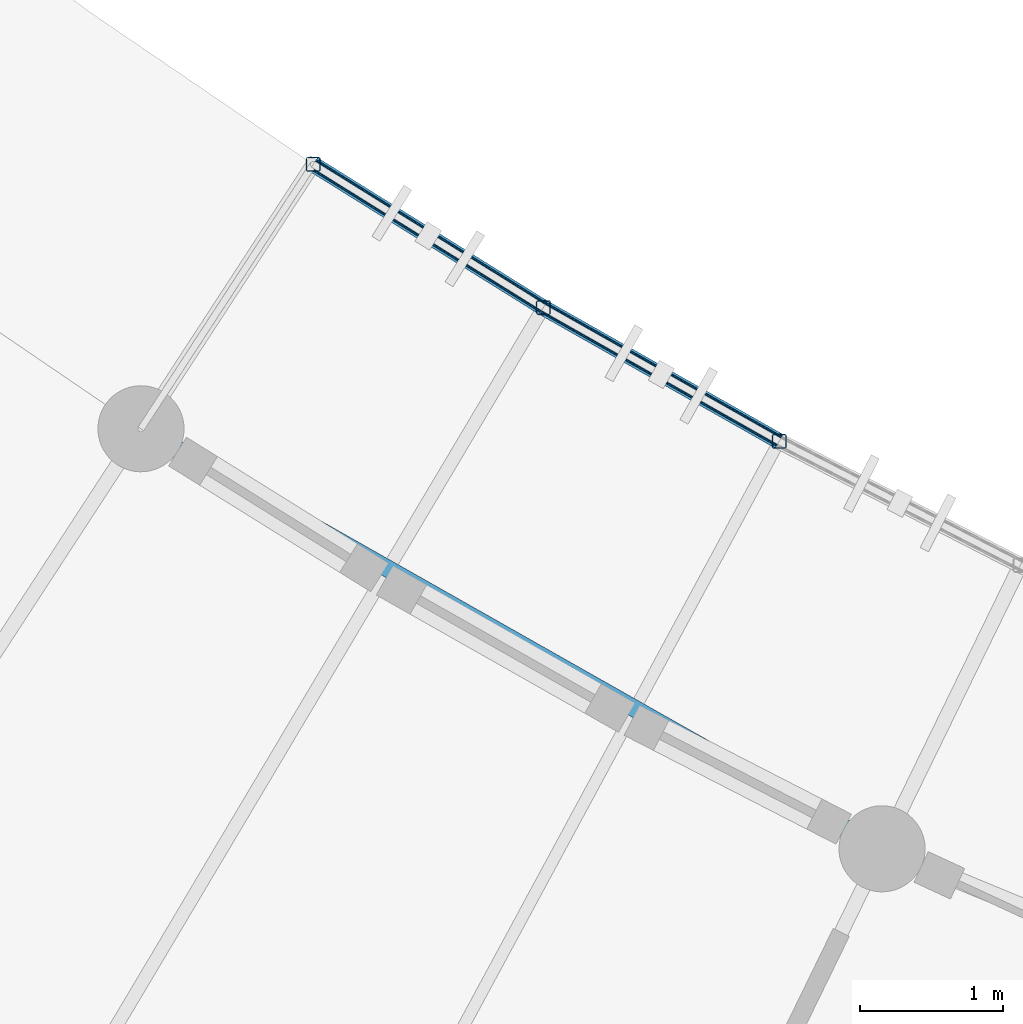
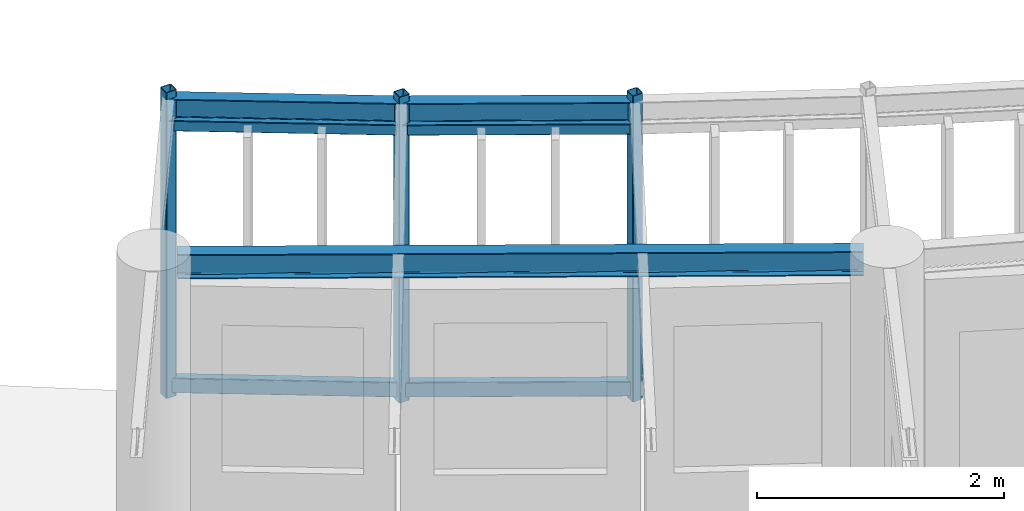
# One storey, part 7 of 100: 7 members, 3 beams.
"""IFC4 building model written with IfcOpenShell, lengths in metres."""

from ifc_helpers import new_model, si_unit, direction, frame, origin, origin_2d, place, context, subcontext, project, spatial, hollow_rectangle, i_section, extrude, material, material_profile, profile_set, type_object, element, save


model = new_model("IFC4")

# Units and contexts
model_context = context("Model", 3, precision=1e-05, world=origin(), true_north=direction((0.0, 1.0)))
body_context = subcontext(model_context, "Body", "Model", "MODEL_VIEW")
ifc_project = project(units=[si_unit("LENGTHUNIT", "METRE"), si_unit("AREAUNIT", "SQUARE_METRE"), si_unit("VOLUMEUNIT", "CUBIC_METRE"), si_unit("PLANEANGLEUNIT", "RADIAN"), si_unit("MASSUNIT", "GRAM", prefix="KILO"), si_unit("POWERUNIT", "WATT"), si_unit("THERMODYNAMICTEMPERATUREUNIT", "KELVIN")], contexts=[model_context])

# Site, building, storey
site_placement = place(None, origin())
site = spatial("IfcSite", under=ifc_project, at=site_placement, CompositionType="ELEMENT")
building_placement = place(site_placement, origin())
building = spatial("IfcBuilding", under=site, at=building_placement, Name="Ruvembo Vaulted Housing Court", CompositionType="ELEMENT")
storey_placement = place(building_placement, frame((0.0, 0.0, 14.10009765625)))
storey = spatial("IfcBuildingStorey", under=building, at=storey_placement, Name="L04", CompositionType="ELEMENT", Elevation=14.10009765625)

# Beams
ifc_material = material(Name="Steel S355J2", Category="steel")
ifc_material_profile_1 = material_profile(ifc_material, i_section(OverallWidth=0.110107421875, OverallDepth=0.219970703125, WebThickness=0.005859375, FlangeThickness=0.00927734375, FilletRadius=0.011962890625, at=origin_2d()), Name="IPE 220")
ifc_profile_set_1 = profile_set([ifc_material_profile_1], Name="Steel S355J2")
beam_type_1 = type_object("IfcBeamType", Name="BM-ST-IPE220", PredefinedType="SPANDREL", material=ifc_profile_set_1)
for number, where, z_axis, x_axis, name in (
    (1, (43.99462890625, 23.62841796875, 2.829833984375), (0.848904567119, -0.52854615307, 0.0), (0.52854615307, 0.848904567119, 0.0), "Scoop SC2 L04 Balcony Edge Spandrel 0"),
    (2, (45.598388671875, 22.6298828125, 2.829833984375), (0.869955662473, -0.493129947712, 0.0), (0.493129947712, 0.869955662473, 0.0), "Scoop SC2 L04 Balcony Edge Spandrel 1"),
):
    element("IfcBeam", number, at=place(storey_placement, frame(where, z_axis=z_axis, x_axis=x_axis)), inside=storey, type_object=beam_type_1, Name=name, PredefinedType="SPANDREL", context=body_context, shape_type="SweptSolid", body=[
        extrude(i_section(OverallWidth=0.110107421875, OverallDepth=0.219970703125, WebThickness=0.005859375, FlangeThickness=0.00927734375, FilletRadius=0.011962890625, at=origin_2d()), origin(), (0.0, 0.0, 1.0), 1.88916015625),
    ])
ifc_material_profile_2 = material_profile(ifc_material, i_section(OverallWidth=0.1201171875, OverallDepth=0.239990234375, WebThickness=0.006103515625, FlangeThickness=0.009765625, FilletRadius=0.014892578125, at=origin_2d()), Name="IPE 240")
ifc_profile_set_2 = profile_set([ifc_material_profile_2], Name="Steel S355J2")
beam_type_2 = type_object("IfcBeamType", Name="BM-ST-IPE240", PredefinedType="BEAM", material=ifc_profile_set_2)
beam_placement = place(storey_placement, frame((42.958740234375, 21.691650390625, 2.822021484375), z_axis=(0.8699763246, -0.493093494823, 0.0), x_axis=(0.493093494823, 0.8699763246, 0.0)))
element("IfcBeam", 3, at=beam_placement, inside=storey, type_object=beam_type_2, Name="Scoop SC2 L04 Chord Girder F0", PredefinedType="BEAM", context=body_context, shape_type="SweptSolid", body=[
    extrude(i_section(OverallWidth=0.1201171875, OverallDepth=0.239990234375, WebThickness=0.006103515625, FlangeThickness=0.009765625, FilletRadius=0.014892578125, at=origin_2d()), origin(), (0.0, 0.0, 1.0), 5.556640625),
])

# Members
ifc_material_profile_3 = material_profile(ifc_material, hollow_rectangle(XDim=0.06005859375, YDim=0.1201171875, WallThickness=0.0048828125, InnerFilletRadius=0.0048828125, OuterFilletRadius=0.010009765625, at=origin_2d()), Name="RHS 120x60x5")
ifc_profile_set_3 = profile_set([ifc_material_profile_3], Name="Steel S355J2")
member_type_1 = type_object("IfcMemberType", Name="MEM-CAR-RHS120", PredefinedType="CHORD", material=ifc_profile_set_3)
for number, where, z_axis, x_axis, name in (
    (4, (43.99462890625, 23.62841796875, 2.662841796875), (0.848904567119, -0.52854615307, 0.0), (0.52854615307, 0.848904567119, 0.0), "Scoop SC2 L04 Upper Louvre Carrier Rail 0"),
    (5, (45.598388671875, 22.6298828125, 2.662841796875), (0.869955662473, -0.493129947712, 0.0), (0.493129947712, 0.869955662473, 0.0), "Scoop SC2 L04 Upper Louvre Carrier Rail 1"),
):
    element("IfcMember", number, at=place(storey_placement, frame(where, z_axis=z_axis, x_axis=x_axis)), inside=storey, type_object=member_type_1, Name=name, PredefinedType="CHORD", context=body_context, shape_type="SweptSolid", body=[
        extrude(hollow_rectangle(XDim=0.06005859375, YDim=0.1201171875, WallThickness=0.0048828125, InnerFilletRadius=0.0048828125, OuterFilletRadius=0.010009765625, at=origin_2d()), origin(), (0.0, 0.0, 1.0), 1.88916015625),
    ])
ifc_material_profile_4 = material_profile(ifc_material, hollow_rectangle(XDim=0.080078125, YDim=0.14990234375, WallThickness=0.00634765625, InnerFilletRadius=0.00634765625, OuterFilletRadius=0.0126953125, at=origin_2d()), Name="RHS 150x80x6.3")
ifc_profile_set_4 = profile_set([ifc_material_profile_4], Name="Steel S355J2")
member_type_2 = type_object("IfcMemberType", Name="MEM-CAR-RHS150", PredefinedType="CHORD", material=ifc_profile_set_4)
for number, where, z_axis, x_axis, name in (
    (6, (43.99462890625, 23.62841796875, 0.094970703125), (0.848904567119, -0.52854615307, 0.0), (0.52854615307, 0.848904567119, 0.0), "Scoop SC2 L04 Lower Louvre Carrier Rail 0"),
    (7, (45.598388671875, 22.6298828125, 0.094970703125), (0.869955662473, -0.493129947712, 0.0), (0.493129947712, 0.869955662473, 0.0), "Scoop SC2 L04 Lower Louvre Carrier Rail 1"),
):
    element("IfcMember", number, at=place(storey_placement, frame(where, z_axis=z_axis, x_axis=x_axis)), inside=storey, type_object=member_type_2, Name=name, PredefinedType="CHORD", context=body_context, shape_type="SweptSolid", body=[
        extrude(hollow_rectangle(XDim=0.080078125, YDim=0.14990234375, WallThickness=0.00634765625, InnerFilletRadius=0.00634765625, OuterFilletRadius=0.0126953125, at=origin_2d()), origin(), (0.0, 0.0, 1.0), 1.88916015625),
    ])
ifc_material_profile_5 = material_profile(ifc_material, hollow_rectangle(XDim=0.10009765625, YDim=0.10009765625, WallThickness=0.00634765625, InnerFilletRadius=0.00634765625, OuterFilletRadius=0.0126953125, at=origin_2d()), Name="SHS 100x100x6.3")
ifc_profile_set_5 = profile_set([ifc_material_profile_5], Name="Steel S355J2")
member_type_3 = type_object("IfcMemberType", Name="MEM-FRM-SHS100", PredefinedType="STRUT", material=ifc_profile_set_5)
for number, where, z_axis, x_axis, name in (
    (8, (43.99462890625, 23.62841796875, -0.01513671875), (0.0, 0.0, 1.0), (1.0, 0.0, 0.0), "Scoop SC2 L04 Louvre Frame Post 0"),
    (9, (45.598388671875, 22.6298828125, -0.01513671875), (0.0, 0.0, 1.0), (1.0, 0.0, 0.0), "Scoop SC2 L04 Louvre Frame Post 1"),
    (10, (47.241943359375, 21.6982421875, -0.01513671875), (0.0, 0.0, 1.0), (1.0, 0.0, 0.0), "Scoop SC2 L04 Louvre Frame Post 2"),
):
    element("IfcMember", number, at=place(storey_placement, frame(where, z_axis=z_axis, x_axis=x_axis)), inside=storey, type_object=member_type_3, Name=name, PredefinedType="STRUT", context=body_context, shape_type="SweptSolid", body=[
        extrude(hollow_rectangle(XDim=0.10009765625, YDim=0.10009765625, WallThickness=0.00634765625, InnerFilletRadius=0.00634765625, OuterFilletRadius=0.0126953125, at=origin_2d()), origin(), (0.0, 0.0, 1.0), 3.02294921875),
    ])

save(model, "model.ifc")
